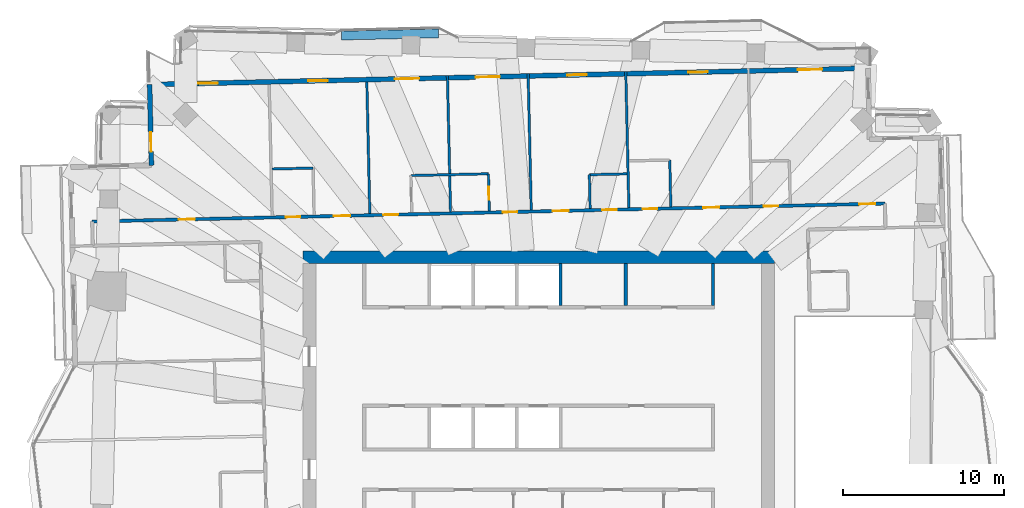
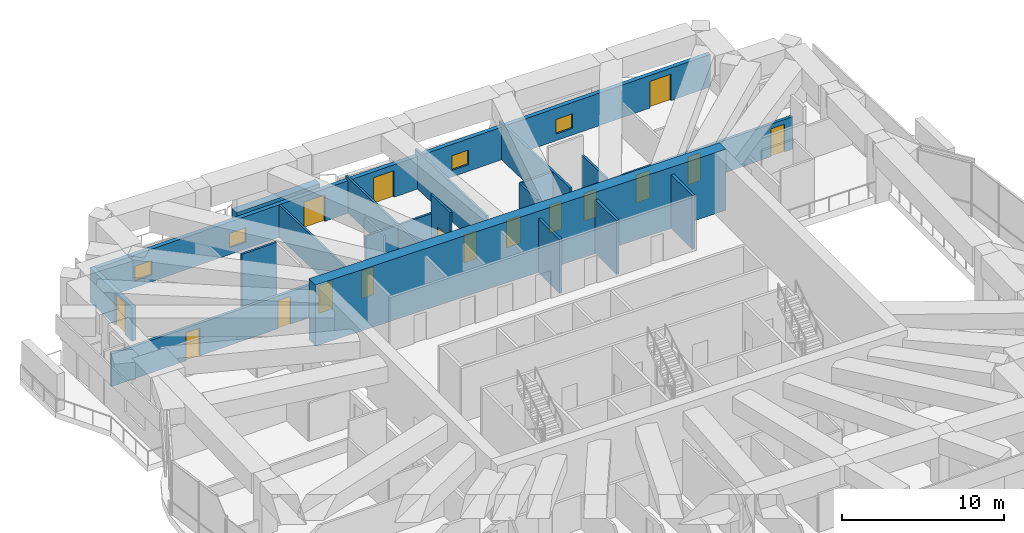
# One storey, part 13 of 19: 18 walls, 16 doors, 4 windows, 20 openings.
"""IFC4 building model written with IfcOpenShell, lengths in metres."""

from ifc_helpers import new_model, si_unit, direction, frame, frame_2d, origin, place, context, subcontext, project, spatial, rectangle, extrude, material, layer, layer_set, type_object, element, fill, save


model = new_model("IFC4")

# Units and contexts
model_context = context("Model", 3, precision=1e-05, world=origin(), true_north=direction((0.0, 1.0)))
body_context = subcontext(model_context, "Body", "Model", "MODEL_VIEW")
ifc_project = project(units=[si_unit("LENGTHUNIT", "METRE"), si_unit("AREAUNIT", "SQUARE_METRE"), si_unit("VOLUMEUNIT", "CUBIC_METRE"), si_unit("PLANEANGLEUNIT", "RADIAN"), si_unit("MASSUNIT", "GRAM", prefix="KILO")], contexts=[model_context])

# Site, building, storey
site_placement = place(None, origin())
site = spatial("IfcSite", under=ifc_project, at=site_placement, CompositionType="ELEMENT")
building_placement = place(site_placement, origin())
building = spatial("IfcBuilding", under=site, at=building_placement, Name="Mangrove Gate Tower", CompositionType="ELEMENT")
storey_placement = place(building_placement, frame((0.0, 0.0, 226.5)))
storey = spatial("IfcBuildingStorey", under=building, at=storey_placement, Name="L57", CompositionType="ELEMENT", Elevation=226.5)

# Walls
ifc_material_1 = material(Name="Concrete C32/40", Category="concrete")
ifc_layer_1 = layer(ifc_material_1, 0.199951171875)
ifc_layer_set_1 = layer_set([ifc_layer_1], Name="Core room wall 200 C32/40")
wall_type_1 = type_object("IfcWallType", Name="Core room wall 200 C32/40", PredefinedType="STANDARD", material=ifc_layer_set_1)
for number, where, z_axis, x_axis, name in (
    (1, (5.39990234375, 8.199951171875, 0.0), (0.0, 0.0, 1.0), (0.0, 1.0, 0.0), "WALL-L57-CORE-30"),
    (2, (10.800048828125, 8.199951171875, 0.0), (0.0, 0.0, 1.0), (0.0, 1.0, 0.0), "WALL-L57-CORE-31"),
):
    element("IfcWall", number, at=place(storey_placement, frame(where, z_axis=z_axis, x_axis=x_axis)), inside=storey, type_object=wall_type_1, Name=name, PredefinedType="STANDARD", context=body_context, shape_type="SweptSolid", body=[
        extrude(rectangle(XDim=2.60009765625, YDim=0.199951171875, at=frame_2d((1.300048828125, 0.0))), origin(), (0.0, 0.0, 1.0), 4.050048828125),
    ])
ifc_material_2 = material(Name="Concrete C60/75", Category="concrete")
ifc_layer_2 = layer(ifc_material_2, 0.199951171875)
ifc_layer_set_2 = layer_set([ifc_layer_2], Name="Core shaft wall 200 C60/75")
wall_type_2 = type_object("IfcWallType", Name="Core shaft wall 200 C60/75", PredefinedType="SHEAR", material=ifc_layer_set_2)
wall_1_placement = place(storey_placement, frame((1.35009765625, 8.199951171875, 0.0), z_axis=(0.0, 0.0, 1.0), x_axis=(0.0, 1.0, 0.0)))
element("IfcWall", 3, at=wall_1_placement, inside=storey, type_object=wall_type_2, Name="WALL-L57-CORE-29", PredefinedType="SHEAR", context=body_context, shape_type="SweptSolid", body=[
    extrude(rectangle(XDim=2.60009765625, YDim=0.199951171875, at=frame_2d((1.300048828125, 0.0))), origin(), (0.0, 0.0, 1.0), 4.050048828125),
])
ifc_material_3 = material(Name="Concrete C60/75", Category="concrete")
ifc_layer_3 = layer(ifc_material_3, 0.800048828125)
ifc_layer_set_3 = layer_set([ifc_layer_3], Name="Core wall 800 C60/75")
wall_type_3 = type_object("IfcWallType", Name="Core wall 800 C60/75", PredefinedType="SHEAR", material=ifc_layer_set_3)
wall_2_placement = place(storey_placement, frame((-14.60009765625, 11.199951171875, 0.0), z_axis=(0.0, 0.0, 1.0), x_axis=(1.0, 0.0, 0.0)))
element("IfcWall", 4, at=wall_2_placement, inside=storey, type_object=wall_type_3, Name="WALL-L57-CORE-2", PredefinedType="SHEAR", context=body_context, shape_type="SweptSolid", body=[
    extrude(rectangle(XDim=29.2001953125, YDim=0.800048828125, at=frame_2d((14.60009765625, 0.0))), origin(), (0.0, 0.0, 1.0), 4.60009765625),
])

# Wall, openings, doors
ifc_material_4 = material(Name="Gypsum board on steel stud, EI 60", Category="steel")
ifc_layer_4 = layer(ifc_material_4, 0.199951171875)
ifc_layer_set_4 = layer_set([ifc_layer_4], Name="Corridor wall EI 60")
wall_type_4 = type_object("IfcWallType", Name="Corridor wall EI 60", PredefinedType="PARTITIONING", material=ifc_layer_set_4)
wall_3_placement = place(storey_placement, frame((-27.652099609375, 13.4130859375, 0.0), z_axis=(0.0, 0.0, 1.0), x_axis=(0.999742712492, 0.022682786863, 0.0)))
wall_3 = element("IfcWall", 5, at=wall_3_placement, inside=storey, type_object=wall_type_4, Name="WALL-L57-049", PredefinedType="PARTITIONING", context=body_context, shape_type="SweptSolid", body=[
    extrude(rectangle(XDim=49.11279296875, YDim=0.199951171875, at=frame_2d((24.556396484375, 0.0))), origin(), (0.0, 0.0, 1.0), 2.449951171875),
])
opening_1_placement = place(wall_3_placement, frame((47.529052734375, 0.0, 0.0)))
opening_1 = element("IfcOpeningElement", 6, at=opening_1_placement, cuts=wall_3, Name="Opening AD", PredefinedType="OPENING", context=body_context, shape_type="SweptSolid", body=[
    extrude(rectangle(XDim=1.0, YDim=2.10009765625, at=frame_2d((0.5, 1.050048828125))), frame((0.0, 0.10986328125, 0.0), z_axis=(0.0, -1.0, 0.0), x_axis=(1.0, 0.0, 0.0)), (0.0, 0.0, 1.0), 0.219970703125),
])
opening_2_placement = place(wall_3_placement, frame((41.60009765625, 0.0, 0.0)))
opening_2 = element("IfcOpeningElement", 7, at=opening_2_placement, cuts=wall_3, Name="Opening SD", PredefinedType="OPENING", context=body_context, shape_type="SweptSolid", body=[
    extrude(rectangle(XDim=0.89990234375, YDim=2.10009765625, at=frame_2d((0.449951171875, 1.050048828125))), frame((0.0, 0.10986328125, 0.0), z_axis=(0.0, -1.0, 0.0), x_axis=(1.0, 0.0, 0.0)), (0.0, 0.0, 1.0), 0.219970703125),
])
opening_3_placement = place(wall_3_placement, frame((37.85009765625, 0.0, 0.0)))
opening_3 = element("IfcOpeningElement", 8, at=opening_3_placement, cuts=wall_3, Name="Opening AD", PredefinedType="OPENING", context=body_context, shape_type="SweptSolid", body=[
    extrude(rectangle(XDim=1.0, YDim=2.10009765625, at=frame_2d((0.5, 1.050048828125))), frame((0.0, 0.10986328125, 0.0), z_axis=(0.0, -1.0, 0.0), x_axis=(1.0, 0.0, 0.0)), (0.0, 0.0, 1.0), 0.219970703125),
])
opening_4_placement = place(wall_3_placement, frame((34.10009765625, 0.0, 0.0)))
opening_4 = element("IfcOpeningElement", 9, at=opening_4_placement, cuts=wall_3, Name="Opening SD", PredefinedType="OPENING", context=body_context, shape_type="SweptSolid", body=[
    extrude(rectangle(XDim=0.89990234375, YDim=2.10009765625, at=frame_2d((0.449951171875, 1.050048828125))), frame((0.0, 0.10986328125, 0.0), z_axis=(0.0, -1.0, 0.0), x_axis=(1.0, 0.0, 0.0)), (0.0, 0.0, 1.0), 0.219970703125),
])
opening_5_placement = place(wall_3_placement, frame((28.52490234375, 0.0, 0.0)))
opening_5 = element("IfcOpeningElement", 10, at=opening_5_placement, cuts=wall_3, Name="Opening AD", PredefinedType="OPENING", context=body_context, shape_type="SweptSolid", body=[
    extrude(rectangle(XDim=1.0, YDim=2.10009765625, at=frame_2d((0.5, 1.050048828125))), frame((0.0, 0.10986328125, 0.0), z_axis=(0.0, -1.0, 0.0), x_axis=(1.0, 0.0, 0.0)), (0.0, 0.0, 1.0), 0.219970703125),
])
opening_6_placement = place(wall_3_placement, frame((31.60009765625, 0.0, 0.0)))
opening_6 = element("IfcOpeningElement", 11, at=opening_6_placement, cuts=wall_3, Name="Opening SD", PredefinedType="OPENING", context=body_context, shape_type="SweptSolid", body=[
    extrude(rectangle(XDim=0.89990234375, YDim=2.10009765625, at=frame_2d((0.449951171875, 1.050048828125))), frame((0.0, 0.10986328125, 0.0), z_axis=(0.0, -1.0, 0.0), x_axis=(1.0, 0.0, 0.0)), (0.0, 0.0, 1.0), 0.219970703125),
])
opening_7_placement = place(wall_3_placement, frame((25.449951171875, 0.0, 0.0)))
opening_7 = element("IfcOpeningElement", 12, at=opening_7_placement, cuts=wall_3, Name="Opening BD", PredefinedType="OPENING", context=body_context, shape_type="SweptSolid", body=[
    extrude(rectangle(XDim=0.89990234375, YDim=2.10009765625, at=frame_2d((0.449951171875, 1.050048828125))), frame((0.0, 0.10986328125, 0.0), z_axis=(0.0, -1.0, 0.0), x_axis=(1.0, 0.0, 0.0)), (0.0, 0.0, 1.0), 0.219970703125),
])
opening_8_placement = place(wall_3_placement, frame((18.050048828125, 0.0, 0.0)))
opening_8 = element("IfcOpeningElement", 13, at=opening_8_placement, cuts=wall_3, Name="Opening BD", PredefinedType="OPENING", context=body_context, shape_type="SweptSolid", body=[
    extrude(rectangle(XDim=0.89990234375, YDim=2.10009765625, at=frame_2d((0.449951171875, 1.050048828125))), frame((0.0, 0.10986328125, 0.0), z_axis=(0.0, -1.0, 0.0), x_axis=(1.0, 0.0, 0.0)), (0.0, 0.0, 1.0), 0.219970703125),
])
opening_9_placement = place(wall_3_placement, frame((14.97509765625, 0.0, 0.0)))
opening_9 = element("IfcOpeningElement", 14, at=opening_9_placement, cuts=wall_3, Name="Opening AD", PredefinedType="OPENING", context=body_context, shape_type="SweptSolid", body=[
    extrude(rectangle(XDim=1.0, YDim=2.10009765625, at=frame_2d((0.5, 1.050048828125))), frame((0.0, 0.10986328125, 0.0), z_axis=(0.0, -1.0, 0.0), x_axis=(1.0, 0.0, 0.0)), (0.0, 0.0, 1.0), 0.219970703125),
])
opening_10_placement = place(wall_3_placement, frame((12.0, 0.0, 0.0)))
opening_10 = element("IfcOpeningElement", 15, at=opening_10_placement, cuts=wall_3, Name="Opening SD", PredefinedType="OPENING", context=body_context, shape_type="SweptSolid", body=[
    extrude(rectangle(XDim=0.89990234375, YDim=2.10009765625, at=frame_2d((0.449951171875, 1.050048828125))), frame((0.0, 0.10986328125, 0.0), z_axis=(0.0, -1.0, 0.0), x_axis=(1.0, 0.0, 0.0)), (0.0, 0.0, 1.0), 0.219970703125),
])
opening_11_placement = place(wall_3_placement, frame((5.35400390625, 0.0, 0.0)))
opening_11 = element("IfcOpeningElement", 16, at=opening_11_placement, cuts=wall_3, Name="Opening AD", PredefinedType="OPENING", context=body_context, shape_type="SweptSolid", body=[
    extrude(rectangle(XDim=1.0, YDim=2.10009765625, at=frame_2d((0.5, 1.050048828125))), frame((0.0, 0.10986328125, 0.0), z_axis=(0.0, -1.0, 0.0), x_axis=(1.0, 0.0, 0.0)), (0.0, 0.0, 1.0), 0.219970703125),
])
ifc_material_5 = material(Name="Timber door leaf", Category="wood")
door_type_1 = type_object("IfcDoorType", Name="Amenity door 1000", OperationType="SINGLE_SWING_LEFT", PredefinedType="DOOR", material=ifc_material_5)
door_1_placement = place(opening_1_placement, origin())
door_1 = element("IfcDoor", 17, at=door_1_placement, inside=storey, type_object=door_type_1, Name="DOOR-L57-GAM-c4a", OperationType="SINGLE_SWING_LEFT", OverallHeight=2.10009765625, OverallWidth=1.0, PredefinedType="DOOR", context=body_context, shape_type="SweptSolid", body=[
    extrude(rectangle(XDim=1.0, YDim=2.10009765625, at=frame_2d((0.5, 1.050048828125))), frame((0.0, 0.02490234375, 0.0), z_axis=(0.0, -1.0, 0.0), x_axis=(1.0, 0.0, 0.0)), (0.0, 0.0, 1.0), 0.050048828125),
])
fill(opening_1, door_1)
door_2_placement = place(opening_3_placement, origin())
door_2 = element("IfcDoor", 18, at=door_2_placement, inside=storey, type_object=door_type_1, Name="DOOR-L57-GAM-c4b", OperationType="SINGLE_SWING_RIGHT", OverallHeight=2.10009765625, OverallWidth=1.0, PredefinedType="DOOR", context=body_context, shape_type="SweptSolid", body=[
    extrude(rectangle(XDim=1.0, YDim=2.10009765625, at=frame_2d((0.5, 1.050048828125))), frame((0.0, 0.02490234375, 0.0), z_axis=(0.0, -1.0, 0.0), x_axis=(1.0, 0.0, 0.0)), (0.0, 0.0, 1.0), 0.050048828125),
])
fill(opening_3, door_2)
door_3_placement = place(opening_5_placement, origin())
door_3 = element("IfcDoor", 19, at=door_3_placement, inside=storey, type_object=door_type_1, Name="DOOR-L57-KIT-c4a", OperationType="SINGLE_SWING_LEFT", OverallHeight=2.10009765625, OverallWidth=1.0, PredefinedType="DOOR", context=body_context, shape_type="SweptSolid", body=[
    extrude(rectangle(XDim=1.0, YDim=2.10009765625, at=frame_2d((0.5, 1.050048828125))), frame((0.0, 0.02490234375, 0.0), z_axis=(0.0, -1.0, 0.0), x_axis=(1.0, 0.0, 0.0)), (0.0, 0.0, 1.0), 0.050048828125),
])
fill(opening_5, door_3)
door_4_placement = place(opening_9_placement, origin())
door_4 = element("IfcDoor", 20, at=door_4_placement, inside=storey, type_object=door_type_1, Name="DOOR-L57-KIT-c5a", OperationType="SINGLE_SWING_RIGHT", OverallHeight=2.10009765625, OverallWidth=1.0, PredefinedType="DOOR", context=body_context, shape_type="SweptSolid", body=[
    extrude(rectangle(XDim=1.0, YDim=2.10009765625, at=frame_2d((0.5, 1.050048828125))), frame((0.0, 0.02490234375, 0.0), z_axis=(0.0, -1.0, 0.0), x_axis=(1.0, 0.0, 0.0)), (0.0, 0.0, 1.0), 0.050048828125),
])
fill(opening_9, door_4)
door_5_placement = place(opening_11_placement, origin())
door_5 = element("IfcDoor", 21, at=door_5_placement, inside=storey, type_object=door_type_1, Name="DOOR-L57-GAM-c5a", OperationType="SINGLE_SWING_LEFT", OverallHeight=2.10009765625, OverallWidth=1.0, PredefinedType="DOOR", context=body_context, shape_type="SweptSolid", body=[
    extrude(rectangle(XDim=1.0, YDim=2.10009765625, at=frame_2d((0.5, 1.050048828125))), frame((0.0, 0.02490234375, 0.0), z_axis=(0.0, -1.0, 0.0), x_axis=(1.0, 0.0, 0.0)), (0.0, 0.0, 1.0), 0.050048828125),
])
fill(opening_11, door_5)
ifc_material_6 = material(Name="Timber door leaf", Category="wood")
door_type_2 = type_object("IfcDoorType", Name="Bedroom door 900", OperationType="SINGLE_SWING_LEFT", PredefinedType="DOOR", material=ifc_material_6)
door_6_placement = place(opening_7_placement, origin())
door_6 = element("IfcDoor", 22, at=door_6_placement, inside=storey, type_object=door_type_2, Name="DOOR-L57-BED-c405", OperationType="SINGLE_SWING_LEFT", OverallHeight=2.10009765625, OverallWidth=0.89990234375, PredefinedType="DOOR", context=body_context, shape_type="SweptSolid", body=[
    extrude(rectangle(XDim=0.89990234375, YDim=2.10009765625, at=frame_2d((0.449951171875, 1.050048828125))), frame((0.0, 0.02490234375, 0.0), z_axis=(0.0, -1.0, 0.0), x_axis=(1.0, 0.0, 0.0)), (0.0, 0.0, 1.0), 0.050048828125),
])
fill(opening_7, door_6)
door_7_placement = place(opening_8_placement, origin())
door_7 = element("IfcDoor", 23, at=door_7_placement, inside=storey, type_object=door_type_2, Name="DOOR-L57-BED-c506", OperationType="SINGLE_SWING_RIGHT", OverallHeight=2.10009765625, OverallWidth=0.89990234375, PredefinedType="DOOR", context=body_context, shape_type="SweptSolid", body=[
    extrude(rectangle(XDim=0.89990234375, YDim=2.10009765625, at=frame_2d((0.449951171875, 1.050048828125))), frame((0.0, 0.02490234375, 0.0), z_axis=(0.0, -1.0, 0.0), x_axis=(1.0, 0.0, 0.0)), (0.0, 0.0, 1.0), 0.050048828125),
])
fill(opening_8, door_7)
ifc_material_7 = material(Name="Timber door leaf", Category="wood")
door_type_3 = type_object("IfcDoorType", Name="Service room door 900", OperationType="SINGLE_SWING_LEFT", PredefinedType="DOOR", material=ifc_material_7)
door_8_placement = place(opening_2_placement, origin())
door_8 = element("IfcDoor", 24, at=door_8_placement, inside=storey, type_object=door_type_3, Name="DOOR-L57-WC-c4a", OperationType="SINGLE_SWING_RIGHT", OverallHeight=2.10009765625, OverallWidth=0.89990234375, PredefinedType="DOOR", context=body_context, shape_type="SweptSolid", body=[
    extrude(rectangle(XDim=0.89990234375, YDim=2.10009765625, at=frame_2d((0.449951171875, 1.050048828125))), frame((0.0, 0.02490234375, 0.0), z_axis=(0.0, -1.0, 0.0), x_axis=(1.0, 0.0, 0.0)), (0.0, 0.0, 1.0), 0.050048828125),
])
fill(opening_2, door_8)
door_9_placement = place(opening_4_placement, origin())
door_9 = element("IfcDoor", 25, at=door_9_placement, inside=storey, type_object=door_type_3, Name="DOOR-L57-AWC-c4a", OperationType="SINGLE_SWING_LEFT", OverallHeight=2.10009765625, OverallWidth=0.89990234375, PredefinedType="DOOR", context=body_context, shape_type="SweptSolid", body=[
    extrude(rectangle(XDim=0.89990234375, YDim=2.10009765625, at=frame_2d((0.449951171875, 1.050048828125))), frame((0.0, 0.02490234375, 0.0), z_axis=(0.0, -1.0, 0.0), x_axis=(1.0, 0.0, 0.0)), (0.0, 0.0, 1.0), 0.050048828125),
])
fill(opening_4, door_9)
door_10_placement = place(opening_6_placement, origin())
door_10 = element("IfcDoor", 26, at=door_10_placement, inside=storey, type_object=door_type_3, Name="DOOR-L57-LIN-c4a", OperationType="SINGLE_SWING_RIGHT", OverallHeight=2.10009765625, OverallWidth=0.89990234375, PredefinedType="DOOR", context=body_context, shape_type="SweptSolid", body=[
    extrude(rectangle(XDim=0.89990234375, YDim=2.10009765625, at=frame_2d((0.449951171875, 1.050048828125))), frame((0.0, 0.02490234375, 0.0), z_axis=(0.0, -1.0, 0.0), x_axis=(1.0, 0.0, 0.0)), (0.0, 0.0, 1.0), 0.050048828125),
])
fill(opening_6, door_10)
door_11_placement = place(opening_10_placement, origin())
door_11 = element("IfcDoor", 27, at=door_11_placement, inside=storey, type_object=door_type_3, Name="DOOR-L57-AWC-c5a", OperationType="SINGLE_SWING_LEFT", OverallHeight=2.10009765625, OverallWidth=0.89990234375, PredefinedType="DOOR", context=body_context, shape_type="SweptSolid", body=[
    extrude(rectangle(XDim=0.89990234375, YDim=2.10009765625, at=frame_2d((0.449951171875, 1.050048828125))), frame((0.0, 0.02490234375, 0.0), z_axis=(0.0, -1.0, 0.0), x_axis=(1.0, 0.0, 0.0)), (0.0, 0.0, 1.0), 0.050048828125),
])
fill(opening_10, door_11)

# Wall, openings, doors, windows
ifc_material_8 = material(Name="Limestone", Category="masonry")
ifc_layer_5 = layer(ifc_material_8, 0.0400390625, Name="Limestone cladding")
ifc_material_9 = material(Name="Ventilated air gap")
ifc_layer_6 = layer(ifc_material_9, 0.0400390625, Name="Ventilated cavity")
ifc_material_10 = material(Name="Mineral wool insulation")
ifc_layer_7 = layer(ifc_material_10, 0.06005859375, Name="Insulation")
ifc_material_11 = material(Name="Breather membrane")
ifc_layer_8 = layer(ifc_material_11, 0.001953125, Name="Breather membrane")
ifc_material_12 = material(Name="Concrete C20/25 blockwork", Category="masonry")
ifc_layer_9 = layer(ifc_material_12, 0.14990234375, Name="Blockwork backing wall")
ifc_material_13 = material(Name="Gypsum plaster")
ifc_layer_10 = layer(ifc_material_13, 0.008056640625, Name="Internal plaster")
ifc_layer_set_5 = layer_set([ifc_layer_5, ifc_layer_6, ifc_layer_7, ifc_layer_8, ifc_layer_9, ifc_layer_10], Name="External wall 300 limestone cladding")
wall_type_5 = type_object("IfcWallType", Name="External wall 300 limestone cladding", PredefinedType="SOLIDWALL", material=ifc_layer_set_5)
wall_4_placement = place(storey_placement, frame((20.403076171875, 22.905029296875, 0.0), z_axis=(0.0, 0.0, 1.0), x_axis=(-0.99974298964, -0.022670568288, 0.0)))
wall_4 = element("IfcWall", 28, at=wall_4_placement, inside=storey, type_object=wall_type_5, Name="WALL-L57-N5", PredefinedType="SOLIDWALL", context=body_context, shape_type="SweptSolid", body=[
    extrude(rectangle(XDim=44.508544921875, YDim=0.300048828125, at=frame_2d((22.25439453125, 0.0))), origin(), (0.0, 0.0, 1.0), 2.449951171875),
])
opening_12_placement = place(wall_4_placement, frame((2.845947265625, 0.0, 0.0)))
opening_12 = element("IfcOpeningElement", 29, at=opening_12_placement, cuts=wall_4, Name="Opening BD3", PredefinedType="OPENING", context=body_context, shape_type="SweptSolid", body=[
    extrude(rectangle(XDim=1.5, YDim=2.0, at=frame_2d((0.75, 1.0))), frame((0.0, 0.159912109375, 0.0), z_axis=(0.0, -1.0, 0.0), x_axis=(1.0, 0.0, 0.0)), (0.0, 0.0, 1.0), 0.320068359375),
])
opening_13_placement = place(wall_4_placement, frame((9.93701171875, 0.0, 0.5)))
opening_13 = element("IfcOpeningElement", 30, at=opening_13_placement, cuts=wall_4, Name="Opening W6", PredefinedType="OPENING", context=body_context, shape_type="SweptSolid", body=[
    extrude(rectangle(XDim=1.199951171875, YDim=1.10009765625, at=frame_2d((0.60009765625, 0.550048828125))), frame((0.0, 0.159912109375, 0.0), z_axis=(0.0, -1.0, 0.0), x_axis=(1.0, 0.0, 0.0)), (0.0, 0.0, 1.0), 0.320068359375),
])
opening_14_placement = place(wall_4_placement, frame((17.43310546875, 0.0, 0.5)))
opening_14 = element("IfcOpeningElement", 31, at=opening_14_placement, cuts=wall_4, Name="Opening W6", PredefinedType="OPENING", context=body_context, shape_type="SweptSolid", body=[
    extrude(rectangle(XDim=1.199951171875, YDim=1.10009765625, at=frame_2d((0.60009765625, 0.550048828125))), frame((0.0, 0.159912109375, 0.0), z_axis=(0.0, -1.0, 0.0), x_axis=(1.0, 0.0, 0.0)), (0.0, 0.0, 1.0), 0.320068359375),
])
opening_15_placement = place(wall_4_placement, frame((22.80810546875, 0.0, 0.0)))
opening_15 = element("IfcOpeningElement", 32, at=opening_15_placement, cuts=wall_4, Name="Opening BD3", PredefinedType="OPENING", context=body_context, shape_type="SweptSolid", body=[
    extrude(rectangle(XDim=1.5, YDim=2.0, at=frame_2d((0.75, 1.0))), frame((0.0, 0.159912109375, 0.0), z_axis=(0.0, -1.0, 0.0), x_axis=(1.0, 0.0, 0.0)), (0.0, 0.0, 1.0), 0.320068359375),
])
opening_16_placement = place(wall_4_placement, frame((27.80810546875, 0.0, 0.0)))
opening_16 = element("IfcOpeningElement", 33, at=opening_16_placement, cuts=wall_4, Name="Opening BD3", PredefinedType="OPENING", context=body_context, shape_type="SweptSolid", body=[
    extrude(rectangle(XDim=1.5, YDim=2.0, at=frame_2d((0.75, 1.0))), frame((0.0, 0.159912109375, 0.0), z_axis=(0.0, -1.0, 0.0), x_axis=(1.0, 0.0, 0.0)), (0.0, 0.0, 1.0), 0.320068359375),
])
opening_17_placement = place(wall_4_placement, frame((33.48291015625, 0.0, 0.5)))
opening_17 = element("IfcOpeningElement", 34, at=opening_17_placement, cuts=wall_4, Name="Opening W6", PredefinedType="OPENING", context=body_context, shape_type="SweptSolid", body=[
    extrude(rectangle(XDim=1.199951171875, YDim=1.10009765625, at=frame_2d((0.60009765625, 0.550048828125))), frame((0.0, 0.159912109375, 0.0), z_axis=(0.0, -1.0, 0.0), x_axis=(1.0, 0.0, 0.0)), (0.0, 0.0, 1.0), 0.320068359375),
])
opening_18_placement = place(wall_4_placement, frame((40.282958984375, 0.0, 0.5)))
opening_18 = element("IfcOpeningElement", 35, at=opening_18_placement, cuts=wall_4, Name="Opening W6", PredefinedType="OPENING", context=body_context, shape_type="SweptSolid", body=[
    extrude(rectangle(XDim=1.199951171875, YDim=1.10009765625, at=frame_2d((0.60009765625, 0.550048828125))), frame((0.0, 0.159912109375, 0.0), z_axis=(0.0, -1.0, 0.0), x_axis=(1.0, 0.0, 0.0)), (0.0, 0.0, 1.0), 0.320068359375),
])
ifc_material_14 = material(Name="Aluminium frame with laminated clear glass", Category="aluminium")
door_type_4 = type_object("IfcDoorType", Name="Balcony sliding door 1500x2000", OperationType="SLIDING_TO_LEFT", PredefinedType="DOOR", material=ifc_material_14)
door_12_placement = place(opening_12_placement, origin())
door_12 = element("IfcDoor", 36, at=door_12_placement, inside=storey, type_object=door_type_4, Name="DOOR-L57-N5-1", OperationType="SLIDING_TO_LEFT", OverallHeight=2.0, OverallWidth=1.5, PredefinedType="DOOR", context=body_context, shape_type="SweptSolid", body=[
    extrude(rectangle(XDim=1.5, YDim=2.0, at=frame_2d((0.75, 1.0))), frame((0.0, 0.02490234375, 0.0), z_axis=(0.0, -1.0, 0.0), x_axis=(1.0, 0.0, 0.0)), (0.0, 0.0, 1.0), 0.050048828125),
])
fill(opening_12, door_12)
door_13_placement = place(opening_15_placement, origin())
door_13 = element("IfcDoor", 37, at=door_13_placement, inside=storey, type_object=door_type_4, Name="DOOR-L57-N5-4", OperationType="SLIDING_TO_LEFT", OverallHeight=2.0, OverallWidth=1.5, PredefinedType="DOOR", context=body_context, shape_type="SweptSolid", body=[
    extrude(rectangle(XDim=1.5, YDim=2.0, at=frame_2d((0.75, 1.0))), frame((0.0, 0.02490234375, 0.0), z_axis=(0.0, -1.0, 0.0), x_axis=(1.0, 0.0, 0.0)), (0.0, 0.0, 1.0), 0.050048828125),
])
fill(opening_15, door_13)
door_14_placement = place(opening_16_placement, origin())
door_14 = element("IfcDoor", 38, at=door_14_placement, inside=storey, type_object=door_type_4, Name="DOOR-L57-N5-5", OperationType="SLIDING_TO_LEFT", OverallHeight=2.0, OverallWidth=1.5, PredefinedType="DOOR", context=body_context, shape_type="SweptSolid", body=[
    extrude(rectangle(XDim=1.5, YDim=2.0, at=frame_2d((0.75, 1.0))), frame((0.0, 0.02490234375, 0.0), z_axis=(0.0, -1.0, 0.0), x_axis=(1.0, 0.0, 0.0)), (0.0, 0.0, 1.0), 0.050048828125),
])
fill(opening_16, door_14)
ifc_material_15 = material(Name="Aluminium frame with double-glazed low-e glass", Category="aluminium")
window_type = type_object("IfcWindowType", Name="Low window 1200x1100", PartitioningType="SINGLE_PANEL", PredefinedType="WINDOW", material=ifc_material_15)
window_1_placement = place(opening_13_placement, origin())
window_1 = element("IfcWindow", 39, at=window_1_placement, inside=storey, type_object=window_type, Name="WIN-L57-N5-2", OverallHeight=1.10009765625, OverallWidth=1.199951171875, PartitioningType="SINGLE_PANEL", PredefinedType="WINDOW", context=body_context, shape_type="SweptSolid", body=[
    extrude(rectangle(XDim=1.199951171875, YDim=1.10009765625, at=frame_2d((0.60009765625, 0.550048828125))), frame((0.0, 0.030029296875, 0.0), z_axis=(0.0, -1.0, 0.0), x_axis=(1.0, 0.0, 0.0)), (0.0, 0.0, 1.0), 0.06005859375),
])
fill(opening_13, window_1)
window_2_placement = place(opening_14_placement, origin())
window_2 = element("IfcWindow", 40, at=window_2_placement, inside=storey, type_object=window_type, Name="WIN-L57-N5-3", OverallHeight=1.10009765625, OverallWidth=1.199951171875, PartitioningType="SINGLE_PANEL", PredefinedType="WINDOW", context=body_context, shape_type="SweptSolid", body=[
    extrude(rectangle(XDim=1.199951171875, YDim=1.10009765625, at=frame_2d((0.60009765625, 0.550048828125))), frame((0.0, 0.030029296875, 0.0), z_axis=(0.0, -1.0, 0.0), x_axis=(1.0, 0.0, 0.0)), (0.0, 0.0, 1.0), 0.06005859375),
])
fill(opening_14, window_2)
window_3_placement = place(opening_17_placement, origin())
window_3 = element("IfcWindow", 41, at=window_3_placement, inside=storey, type_object=window_type, Name="WIN-L57-N5-6", OverallHeight=1.10009765625, OverallWidth=1.199951171875, PartitioningType="SINGLE_PANEL", PredefinedType="WINDOW", context=body_context, shape_type="SweptSolid", body=[
    extrude(rectangle(XDim=1.199951171875, YDim=1.10009765625, at=frame_2d((0.60009765625, 0.550048828125))), frame((0.0, 0.030029296875, 0.0), z_axis=(0.0, -1.0, 0.0), x_axis=(1.0, 0.0, 0.0)), (0.0, 0.0, 1.0), 0.06005859375),
])
fill(opening_17, window_3)
window_4_placement = place(opening_18_placement, origin())
window_4 = element("IfcWindow", 42, at=window_4_placement, inside=storey, type_object=window_type, Name="WIN-L57-N5-7", OverallHeight=1.10009765625, OverallWidth=1.199951171875, PartitioningType="SINGLE_PANEL", PredefinedType="WINDOW", context=body_context, shape_type="SweptSolid", body=[
    extrude(rectangle(XDim=1.199951171875, YDim=1.10009765625, at=frame_2d((0.60009765625, 0.550048828125))), frame((0.0, 0.030029296875, 0.0), z_axis=(0.0, -1.0, 0.0), x_axis=(1.0, 0.0, 0.0)), (0.0, 0.0, 1.0), 0.06005859375),
])
fill(opening_18, window_4)

# Wall, opening, door
wall_5_placement = place(storey_placement, frame((-24.093994140625, 21.89599609375, 0.0), z_axis=(0.0, 0.0, 1.0), x_axis=(0.022606059803, -0.999744450377, 0.0)))
wall_5 = element("IfcWall", 43, at=wall_5_placement, inside=storey, type_object=wall_type_5, Name="WALL-L57-W6", PredefinedType="SOLIDWALL", context=body_context, shape_type="SweptSolid", body=[
    extrude(rectangle(XDim=5.000244140625, YDim=0.300048828125, at=frame_2d((2.5, 0.0))), origin(), (0.0, 0.0, 1.0), 2.550048828125),
])
opening_19_placement = place(wall_5_placement, frame((2.949951171875, 0.0, 0.0)))
opening_19 = element("IfcOpeningElement", 44, at=opening_19_placement, cuts=wall_5, Name="Opening BD2", PredefinedType="OPENING", context=body_context, shape_type="SweptSolid", body=[
    extrude(rectangle(XDim=1.199951171875, YDim=2.39990234375, at=frame_2d((0.60009765625, 1.199951171875))), frame((0.0, 0.159912109375, 0.0), z_axis=(0.0, -1.0, 0.0), x_axis=(1.0, 0.0, 0.0)), (0.0, 0.0, 1.0), 0.320068359375),
])
ifc_material_16 = material(Name="Aluminium frame with laminated clear glass", Category="aluminium")
door_type_5 = type_object("IfcDoorType", Name="Balcony sliding door 1200x2400", OperationType="SLIDING_TO_LEFT", PredefinedType="DOOR", material=ifc_material_16)
door_15_placement = place(opening_19_placement, origin())
door_15 = element("IfcDoor", 45, at=door_15_placement, inside=storey, type_object=door_type_5, Name="DOOR-L57-W6-1", OperationType="SLIDING_TO_LEFT", OverallHeight=2.39990234375, OverallWidth=1.199951171875, PredefinedType="DOOR", context=body_context, shape_type="SweptSolid", body=[
    extrude(rectangle(XDim=1.199951171875, YDim=2.39990234375, at=frame_2d((0.60009765625, 1.199951171875))), frame((0.0, 0.02490234375, 0.0), z_axis=(0.0, -1.0, 0.0), x_axis=(1.0, 0.0, 0.0)), (0.0, 0.0, 1.0), 0.050048828125),
])
fill(opening_19, door_15)

# Walls
ifc_material_17 = material(Name="Gypsum board on steel stud, EI 60", Category="steel")
ifc_layer_11 = layer(ifc_material_17, 0.14990234375)
ifc_layer_set_6 = layer_set([ifc_layer_11], Name="Party wall 150 EI 60")
wall_type_6 = type_object("IfcWallType", Name="Party wall 150 EI 60", PredefinedType="PARTITIONING", material=ifc_layer_set_6)
wall_6_placement = place(storey_placement, frame((-10.455078125, 13.903076171875, 0.0), z_axis=(0.0, 0.0, 1.0), x_axis=(-0.022676494918, 0.999742855227, 0.0)))
element("IfcWall", 46, at=wall_6_placement, inside=storey, type_object=wall_type_6, Name="WALL-L57-052", PredefinedType="PARTITIONING", context=body_context, shape_type="SweptSolid", body=[
    extrude(rectangle(XDim=8.150146484375, YDim=0.14990234375, at=frame_2d((4.0751953125, 0.0))), origin(), (0.0, 0.0, 1.0), 2.449951171875),
])
wall_7_placement = place(storey_placement, frame((-5.4560546875, 14.01708984375, 0.0), z_axis=(0.0, 0.0, 1.0), x_axis=(-0.022711559831, 0.999742059258, 0.0)))
element("IfcWall", 47, at=wall_7_placement, inside=storey, type_object=wall_type_6, Name="WALL-L57-054", PredefinedType="PARTITIONING", context=body_context, shape_type="SweptSolid", body=[
    extrude(rectangle(XDim=8.44921875, YDim=0.14990234375, at=frame_2d((4.224609375, 0.0))), origin(), (0.0, 0.0, 1.0), 2.64990234375),
])

# Wall, opening, door
wall_8_placement = place(storey_placement, frame((-3.056884765625, 14.071044921875, 0.0), z_axis=(0.0, 0.0, 1.0), x_axis=(-0.022612884682, 0.999744296031, 0.0)))
wall_8 = element("IfcWall", 48, at=wall_8_placement, inside=storey, type_object=wall_type_6, Name="WALL-L57-055", PredefinedType="PARTITIONING", context=body_context, shape_type="SweptSolid", body=[
    extrude(rectangle(XDim=2.299560546875, YDim=0.14990234375, at=frame_2d((1.14990234375, 0.0))), origin(), (0.0, 0.0, 1.0), 4.050048828125),
])
opening_20_placement = place(wall_8_placement, frame((0.699951171875, 0.0, 0.0)))
opening_20 = element("IfcOpeningElement", 49, at=opening_20_placement, cuts=wall_8, Name="Opening ED", PredefinedType="OPENING", context=body_context, shape_type="SweptSolid", body=[
    extrude(rectangle(XDim=0.800048828125, YDim=2.10009765625, at=frame_2d((0.39990234375, 1.050048828125))), frame((0.0, 0.0849609375, 0.0), z_axis=(0.0, -1.0, 0.0), x_axis=(1.0, 0.0, 0.0)), (0.0, 0.0, 1.0), 0.169921875),
])
ifc_material_18 = material(Name="Timber door leaf", Category="wood")
door_type_6 = type_object("IfcDoorType", Name="En-suite door 800", OperationType="SINGLE_SWING_LEFT", PredefinedType="DOOR", material=ifc_material_18)
door_16_placement = place(opening_20_placement, origin())
door_16 = element("IfcDoor", 50, at=door_16_placement, inside=storey, type_object=door_type_6, Name="DOOR-L57-ENS-c405", OperationType="SINGLE_SWING_LEFT", OverallHeight=2.10009765625, OverallWidth=0.800048828125, PredefinedType="DOOR", context=body_context, shape_type="SweptSolid", body=[
    extrude(rectangle(XDim=0.800048828125, YDim=2.10009765625, at=frame_2d((0.39990234375, 1.050048828125))), frame((0.0, 0.02490234375, 0.0), z_axis=(0.0, -1.0, 0.0), x_axis=(1.0, 0.0, 0.0)), (0.0, 0.0, 1.0), 0.050048828125),
])
fill(opening_20, door_16)

# Walls
wall_9_placement = place(storey_placement, frame((-0.4580078125, 14.1298828125, 0.0), z_axis=(0.0, 0.0, 1.0), x_axis=(-0.022593427839, 0.999744735929, 0.0)))
element("IfcWall", 51, at=wall_9_placement, inside=storey, type_object=wall_type_6, Name="WALL-L57-056", PredefinedType="PARTITIONING", context=body_context, shape_type="SweptSolid", body=[
    extrude(rectangle(XDim=8.4501953125, YDim=0.14990234375, at=frame_2d((4.22509765625, 0.0))), origin(), (0.0, 0.0, 1.0), 2.85009765625),
])
wall_10_placement = place(storey_placement, frame((3.19091796875, 14.212890625, 0.0), z_axis=(0.0, 0.0, 1.0), x_axis=(-0.022325208909, 0.999750761464, 0.0)))
element("IfcWall", 52, at=wall_10_placement, inside=storey, type_object=wall_type_6, Name="WALL-L57-057", PredefinedType="PARTITIONING", context=body_context, shape_type="SweptSolid", body=[
    extrude(rectangle(XDim=2.099609375, YDim=0.14990234375, at=frame_2d((1.0498046875, 0.0))), origin(), (0.0, 0.0, 1.0), 2.75),
])
wall_11_placement = place(storey_placement, frame((5.591064453125, 14.26708984375, 0.0), z_axis=(0.0, 0.0, 1.0), x_axis=(-0.022737812646, 0.999741462517, 0.0)))
element("IfcWall", 53, at=wall_11_placement, inside=storey, type_object=wall_type_6, Name="WALL-L57-058", PredefinedType="PARTITIONING", context=body_context, shape_type="SweptSolid", body=[
    extrude(rectangle(XDim=8.4501953125, YDim=0.14990234375, at=frame_2d((4.22509765625, 0.0))), origin(), (0.0, 0.0, 1.0), 2.75),
])
wall_12_placement = place(storey_placement, frame((8.18994140625, 14.325927734375, 0.0), z_axis=(0.0, 0.0, 1.0), x_axis=(-0.022730967319, 0.999741618182, 0.0)))
element("IfcWall", 54, at=wall_12_placement, inside=storey, type_object=wall_type_6, Name="WALL-L57-059", PredefinedType="PARTITIONING", context=body_context, shape_type="SweptSolid", body=[
    extrude(rectangle(XDim=2.89990234375, YDim=0.14990234375, at=frame_2d((1.449951171875, 0.0))), origin(), (0.0, 0.0, 1.0), 2.550048828125),
])
wall_13_placement = place(storey_placement, frame((3.139892578125, 16.31201171875, 0.0), z_axis=(0.0, 0.0, 1.0), x_axis=(0.99974031529, 0.022788198363, 0.0)))
element("IfcWall", 55, at=wall_13_placement, inside=storey, type_object=wall_type_6, Name="WALL-L57-062", PredefinedType="PARTITIONING", context=body_context, shape_type="SweptSolid", body=[
    extrude(rectangle(XDim=2.32470703125, YDim=0.14990234375, at=frame_2d((1.162353515625, 0.0))), origin(), (0.0, 0.0, 1.0), 2.75),
])
wall_14_placement = place(storey_placement, frame((-7.912109375, 16.260986328125, 0.0), z_axis=(0.0, 0.0, 1.0), x_axis=(0.99974154664, 0.022734113616, 0.0)))
element("IfcWall", 56, at=wall_14_placement, inside=storey, type_object=wall_type_6, Name="WALL-L57-063", PredefinedType="PARTITIONING", context=body_context, shape_type="SweptSolid", body=[
    extrude(rectangle(XDim=4.80029296875, YDim=0.14990234375, at=frame_2d((2.400146484375, 0.0))), origin(), (0.0, 0.0, 1.0), 2.64990234375),
])
wall_15_placement = place(storey_placement, frame((-16.498046875, 16.6669921875, 0.0), z_axis=(0.0, 0.0, 1.0), x_axis=(0.99974392816, 0.022629142889, 0.0)))
element("IfcWall", 57, at=wall_15_placement, inside=storey, type_object=wall_type_6, Name="WALL-L57-065", PredefinedType="PARTITIONING", context=body_context, shape_type="SweptSolid", body=[
    extrude(rectangle(XDim=2.524658203125, YDim=0.14990234375, at=frame_2d((1.26220703125, 0.0))), origin(), (0.0, 0.0, 1.0), 4.050048828125),
])
ifc_material_19 = material(Name="Concrete C32/40", Category="concrete")
ifc_layer_12 = layer(ifc_material_19, 0.199951171875, Name="Planter trough wall")
ifc_material_20 = material(Name="Bituminous waterproofing membrane")
ifc_layer_13 = layer(ifc_material_20, 0.0048828125, Name="Waterproofing")
ifc_material_21 = material(Name="Drainage board and gravel")
ifc_layer_14 = layer(ifc_material_21, 0.044921875, Name="Drainage layer")
ifc_material_22 = material(Name="Planting soil")
ifc_layer_15 = layer(ifc_material_22, 0.300048828125, Name="Growing medium")
ifc_layer_set_7 = layer_set([ifc_layer_12, ifc_layer_13, ifc_layer_14, ifc_layer_15], Name="Planter wall 550 C32/40")
wall_type_7 = type_object("IfcWallType", Name="Planter wall 550 C32/40", PredefinedType="USERDEFINED", material=ifc_layer_set_7)
wall_16_placement = place(storey_placement, frame((-12.2060546875, 24.930908203125, 0.0), z_axis=(0.0, 0.0, 1.0), x_axis=(0.999743094499, 0.022665943652, 0.0)))
element("IfcWall", 58, at=wall_16_placement, inside=storey, type_object=wall_type_7, Name="PLANTER L57 N1.1", ObjectType="PLANTER", PredefinedType="USERDEFINED", context=body_context, shape_type="SweptSolid", body=[
    extrude(rectangle(XDim=5.99951171875, YDim=0.550048828125, at=frame_2d((2.999755859375, 0.0))), origin(), (0.0, 0.0, 1.0), 0.800048828125),
])

save(model, "model.ifc")
